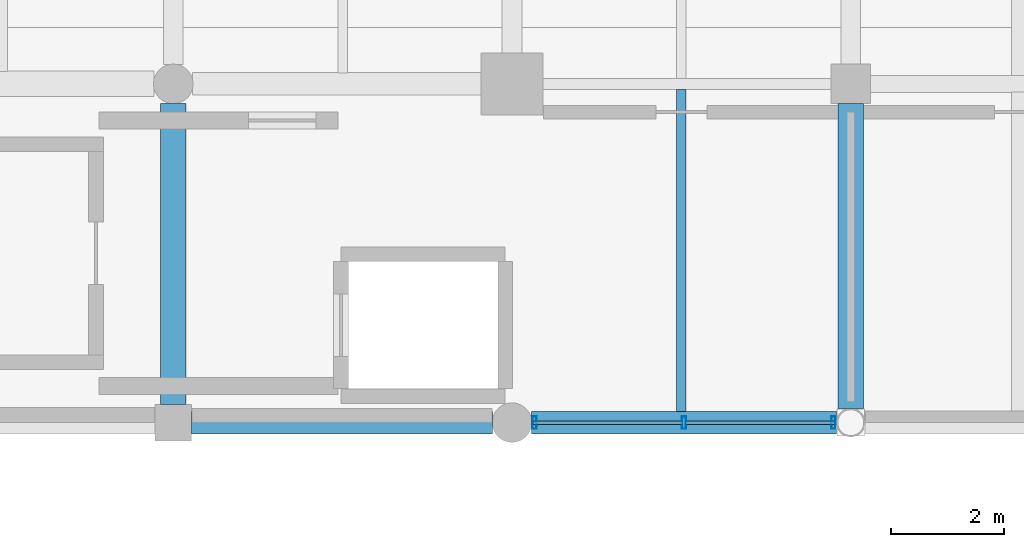
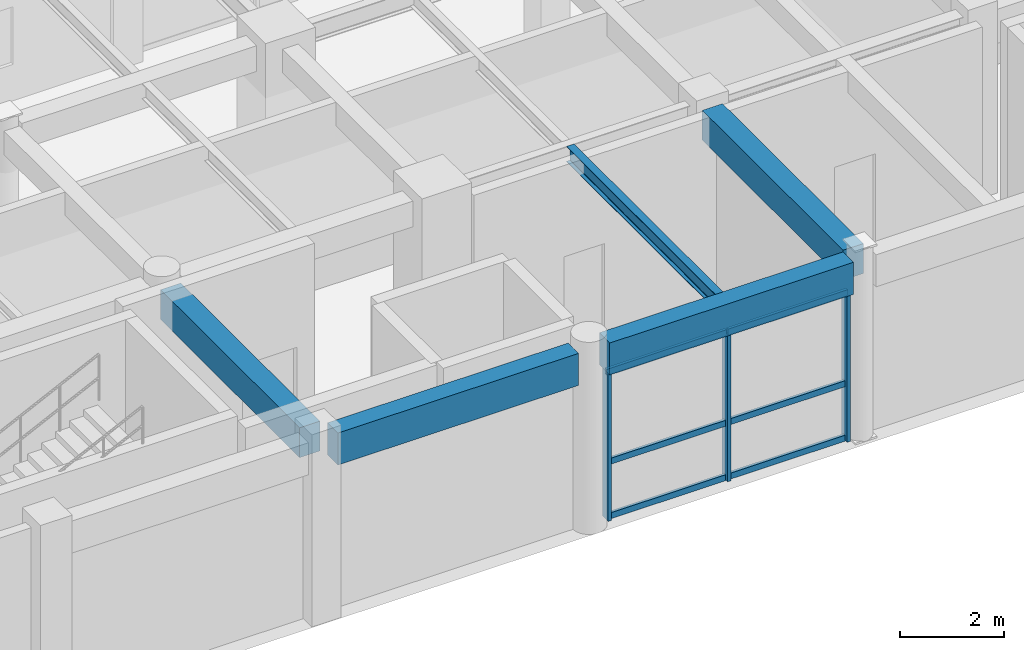
# One storey, part 42 of 116: 9 members, 5 beams, 1 element without a shape of its own.
"""IFC4 building model written with IfcOpenShell, lengths in metres."""

from ifc_helpers import new_model, si_unit, direction, frame, origin, origin_2d, place, context, subcontext, project, spatial, rectangle, hollow_rectangle, i_section, extrude, material, material_profile, profile_set, type_object, element, aggregate, save


model = new_model("IFC4")

# Units and contexts
model_context = context("Model", 3, precision=1e-05, world=origin(), true_north=direction((0.0, 1.0)))
body_context = subcontext(model_context, "Body", "Model", "MODEL_VIEW")
ifc_project = project(units=[si_unit("LENGTHUNIT", "METRE"), si_unit("AREAUNIT", "SQUARE_METRE"), si_unit("VOLUMEUNIT", "CUBIC_METRE"), si_unit("PLANEANGLEUNIT", "RADIAN"), si_unit("MASSUNIT", "GRAM", prefix="KILO"), si_unit("THERMODYNAMICTEMPERATUREUNIT", "KELVIN"), si_unit("POWERUNIT", "WATT")], contexts=[model_context])

# Site, building, storey
site_placement = place(None, origin())
site = spatial("IfcSite", under=ifc_project, at=site_placement, CompositionType="ELEMENT")
building_placement = place(site_placement, origin())
building = spatial("IfcBuilding", under=site, at=building_placement, Name="Phaisarnlok Congress Hotel", CompositionType="ELEMENT")
storey_placement = place(building_placement, frame((0.0, 0.0, 10.5)))
storey = spatial("IfcBuildingStorey", under=building, at=storey_placement, Name="L02", CompositionType="ELEMENT", Elevation=10.5)

# Beams
ifc_material_1 = material(Name="Concrete C40/50", Category="concrete")
ifc_material_profile_1 = material_profile(ifc_material_1, rectangle(XDim=0.449951171875, YDim=0.699951171875, at=origin_2d()), Name="RC 450x700")
ifc_profile_set_1 = profile_set([ifc_material_profile_1], Name="Concrete C40/50")
beam_type_1 = type_object("IfcBeamType", Name="BM-RC-450x700", PredefinedType="BEAM", material=ifc_profile_set_1)
beam_1_placement = place(storey_placement, frame((114.0, 108.320068359375, 3.889892578125), z_axis=(0.0, 1.0, 0.0), x_axis=(-1.0, 0.0, 0.0)))
element("IfcBeam", 1, at=beam_1_placement, inside=storey, type_object=beam_type_1, Name="Beam B-03", PredefinedType="BEAM", context=body_context, shape_type="SweptSolid", body=[
    extrude(rectangle(XDim=0.449951171875, YDim=0.699951171875, at=origin_2d()), origin(), (0.0, 0.0, 1.0), 5.3349609375),
])
beam_2_placement = place(storey_placement, frame((126.0, 108.2490234375, 3.889892578125), z_axis=(0.0, 1.0, 0.0), x_axis=(-1.0, 0.0, 0.0)))
element("IfcBeam", 2, at=beam_2_placement, inside=storey, type_object=beam_type_1, Name="Beam B-03", PredefinedType="BEAM", context=body_context, shape_type="SweptSolid", body=[
    extrude(rectangle(XDim=0.449951171875, YDim=0.699951171875, at=origin_2d()), origin(), (0.0, 0.0, 1.0), 5.406005859375),
])

# Curtain wall, members
ifc_material_2 = material(Name="Thermally Broken Unitised Aluminium & Low-E Glazing", Category="aluminium")
curtain_wall_type = type_object("IfcCurtainWallType", Name="CW-UNIT-17", PredefinedType="NOTDEFINED", material=ifc_material_2)
curtain_wall_placement = place(storey_placement, origin())
curtain_wall = element("IfcCurtainWall", 3, at=curtain_wall_placement, inside=storey, type_object=curtain_wall_type, Name="Unitised curtain wall CW-17 (L02)", PredefinedType="NOTDEFINED")
ifc_material_3 = material(Name="Anodised Aluminium Alloy 6063-T6", Category="aluminium")
ifc_material_profile_2 = material_profile(ifc_material_3, hollow_rectangle(XDim=0.074951171875, YDim=0.219970703125, WallThickness=0.0048828125, at=origin_2d()), Name="ALU-M 75x220x5")
ifc_profile_set_2 = profile_set([ifc_material_profile_2], Name="Anodised Aluminium Alloy 6063-T6")
member_type_1 = type_object("IfcMemberType", Name="CWM-220", PredefinedType="MULLION", material=ifc_profile_set_2)
member_1_placement = place(storey_placement, frame((120.39990234375, 108.0, 0.0), z_axis=(0.0, 0.0, 1.0), x_axis=(1.0, 0.0, 0.0)))
member_1 = element("IfcMember", 4, at=member_1_placement, type_object=member_type_1, Name="Curtain wall mullion CWM-02", PredefinedType="MULLION", context=body_context, shape_type="SweptSolid", body=[
    extrude(hollow_rectangle(XDim=0.074951171875, YDim=0.219970703125, WallThickness=0.0048828125, at=origin_2d()), origin(), (0.0, 0.0, 1.0), 3.489990234375),
])
member_2_placement = place(storey_placement, frame((123.048095703125, 108.0, 0.0), z_axis=(0.0, 0.0, 1.0), x_axis=(1.0, 0.0, 0.0)))
member_2 = element("IfcMember", 5, at=member_2_placement, type_object=member_type_1, Name="Curtain wall mullion CWM-02", PredefinedType="MULLION", context=body_context, shape_type="SweptSolid", body=[
    extrude(hollow_rectangle(XDim=0.074951171875, YDim=0.219970703125, WallThickness=0.0048828125, at=origin_2d()), origin(), (0.0, 0.0, 1.0), 3.489990234375),
])
member_3_placement = place(storey_placement, frame((125.696044921875, 108.0, 0.0), z_axis=(0.0, 0.0, 1.0), x_axis=(1.0, 0.0, 0.0)))
member_3 = element("IfcMember", 6, at=member_3_placement, type_object=member_type_1, Name="Curtain wall mullion CWM-02", PredefinedType="MULLION", context=body_context, shape_type="SweptSolid", body=[
    extrude(hollow_rectangle(XDim=0.074951171875, YDim=0.219970703125, WallThickness=0.0048828125, at=origin_2d()), origin(), (0.0, 0.0, 1.0), 3.489990234375),
])
ifc_material_profile_3 = material_profile(ifc_material_3, hollow_rectangle(XDim=0.06494140625, YDim=0.139892578125, WallThickness=0.00390625, at=origin_2d()), Name="ALU-T 65x140x4")
ifc_profile_set_3 = profile_set([ifc_material_profile_3], Name="Anodised Aluminium Alloy 6063-T6")
member_type_2 = type_object("IfcMemberType", Name="CWT-150", PredefinedType="USERDEFINED", material=ifc_profile_set_3)
member_4_placement = place(storey_placement, frame((120.375, 108.0, 0.050048828125), z_axis=(1.0, 0.0, 0.0), x_axis=(0.0, 1.0, 0.0)))
member_4 = element("IfcMember", 7, at=member_4_placement, type_object=member_type_2, Name="Curtain wall transom CWT-01", ObjectType="TRANSOM", PredefinedType="USERDEFINED", context=body_context, shape_type="SweptSolid", body=[
    extrude(hollow_rectangle(XDim=0.06494140625, YDim=0.139892578125, WallThickness=0.00390625, at=origin_2d()), origin(), (0.0, 0.0, 1.0), 2.657958984375),
])
member_5_placement = place(storey_placement, frame((120.375, 108.0, 1.326171875), z_axis=(1.0, 0.0, 0.0), x_axis=(0.0, 1.0, 0.0)))
member_5 = element("IfcMember", 8, at=member_5_placement, type_object=member_type_2, Name="Curtain wall transom CWT-01", ObjectType="TRANSOM", PredefinedType="USERDEFINED", context=body_context, shape_type="SweptSolid", body=[
    extrude(hollow_rectangle(XDim=0.06494140625, YDim=0.139892578125, WallThickness=0.00390625, at=origin_2d()), origin(), (0.0, 0.0, 1.0), 2.657958984375),
])
member_6_placement = place(storey_placement, frame((120.375, 108.0, 3.43994140625), z_axis=(1.0, 0.0, 0.0), x_axis=(0.0, 1.0, 0.0)))
member_6 = element("IfcMember", 9, at=member_6_placement, type_object=member_type_2, Name="Curtain wall transom CWT-01", ObjectType="TRANSOM", PredefinedType="USERDEFINED", context=body_context, shape_type="SweptSolid", body=[
    extrude(hollow_rectangle(XDim=0.06494140625, YDim=0.139892578125, WallThickness=0.00390625, at=origin_2d()), origin(), (0.0, 0.0, 1.0), 2.657958984375),
])
member_7_placement = place(storey_placement, frame((123.06298828125, 108.0, 0.050048828125), z_axis=(1.0, 0.0, 0.0), x_axis=(0.0, 1.0, 0.0)))
member_7 = element("IfcMember", 10, at=member_7_placement, type_object=member_type_2, Name="Curtain wall transom CWT-01", ObjectType="TRANSOM", PredefinedType="USERDEFINED", context=body_context, shape_type="SweptSolid", body=[
    extrude(hollow_rectangle(XDim=0.06494140625, YDim=0.139892578125, WallThickness=0.00390625, at=origin_2d()), origin(), (0.0, 0.0, 1.0), 2.657958984375),
])
member_8_placement = place(storey_placement, frame((123.06298828125, 108.0, 1.326171875), z_axis=(1.0, 0.0, 0.0), x_axis=(0.0, 1.0, 0.0)))
member_8 = element("IfcMember", 11, at=member_8_placement, type_object=member_type_2, Name="Curtain wall transom CWT-01", ObjectType="TRANSOM", PredefinedType="USERDEFINED", context=body_context, shape_type="SweptSolid", body=[
    extrude(hollow_rectangle(XDim=0.06494140625, YDim=0.139892578125, WallThickness=0.00390625, at=origin_2d()), origin(), (0.0, 0.0, 1.0), 2.657958984375),
])
member_9_placement = place(storey_placement, frame((123.06298828125, 108.0, 3.43994140625), z_axis=(1.0, 0.0, 0.0), x_axis=(0.0, 1.0, 0.0)))
member_9 = element("IfcMember", 12, at=member_9_placement, type_object=member_type_2, Name="Curtain wall transom CWT-01", ObjectType="TRANSOM", PredefinedType="USERDEFINED", context=body_context, shape_type="SweptSolid", body=[
    extrude(hollow_rectangle(XDim=0.06494140625, YDim=0.139892578125, WallThickness=0.00390625, at=origin_2d()), origin(), (0.0, 0.0, 1.0), 2.657958984375),
])
aggregate(curtain_wall, [member_1, member_2, member_3, member_4, member_5, member_6, member_7, member_8, member_9])

# Beams
ifc_material_4 = material(Name="Steel S355", Category="steel")
ifc_material_profile_4 = material_profile(ifc_material_4, i_section(OverallWidth=0.169921875, OverallDepth=0.360107421875, WebThickness=0.008056640625, FlangeThickness=0.0126953125, FilletRadius=0.01806640625, at=origin_2d()), Name="IPE 360")
ifc_profile_set_4 = profile_set([ifc_material_profile_4], Name="Steel S355")
beam_type_2 = type_object("IfcBeamType", Name="JS-STL-IPE360", PredefinedType="JOIST", material=ifc_profile_set_4)
beam_3_placement = place(storey_placement, frame((123.0, 108.195068359375, 4.06005859375), z_axis=(0.0, 1.0, 0.0), x_axis=(-1.0, 0.0, 0.0)))
element("IfcBeam", 13, at=beam_3_placement, inside=storey, type_object=beam_type_2, Name="Secondary floor joist J-04", PredefinedType="JOIST", context=body_context, shape_type="SweptSolid", body=[
    extrude(i_section(OverallWidth=0.169921875, OverallDepth=0.360107421875, WebThickness=0.008056640625, FlangeThickness=0.0126953125, FilletRadius=0.01806640625, at=origin_2d()), origin(), (0.0, 0.0, 1.0), 5.71484375),
])
ifc_material_profile_5 = material_profile(ifc_material_1, rectangle(XDim=0.39990234375, YDim=0.75, at=origin_2d()), Name="RC 400x750")
ifc_profile_set_5 = profile_set([ifc_material_profile_5], Name="Concrete C40/50")
beam_type_3 = type_object("IfcBeamType", Name="SP-RC-400x750", PredefinedType="SPANDREL", material=ifc_profile_set_5)
beam_4_placement = place(storey_placement, frame((114.320068359375, 108.0, 3.864990234375), z_axis=(1.0, 0.0, 0.0), x_axis=(0.0, 1.0, 0.0)))
element("IfcBeam", 14, at=beam_4_placement, inside=storey, type_object=beam_type_3, Name="Beam SP-02", PredefinedType="SPANDREL", context=body_context, shape_type="SweptSolid", body=[
    extrude(rectangle(XDim=0.39990234375, YDim=0.75, at=origin_2d()), origin(), (0.0, 0.0, 1.0), 5.3349609375),
])
beam_5_placement = place(storey_placement, frame((120.344970703125, 108.0, 3.864990234375), z_axis=(1.0, 0.0, 0.0), x_axis=(0.0, 1.0, 0.0)))
element("IfcBeam", 15, at=beam_5_placement, inside=storey, type_object=beam_type_3, Name="Beam SP-02", PredefinedType="SPANDREL", context=body_context, shape_type="SweptSolid", body=[
    extrude(rectangle(XDim=0.39990234375, YDim=0.75, at=origin_2d()), origin(), (0.0, 0.0, 1.0), 5.406005859375),
])

save(model, "model.ifc")
